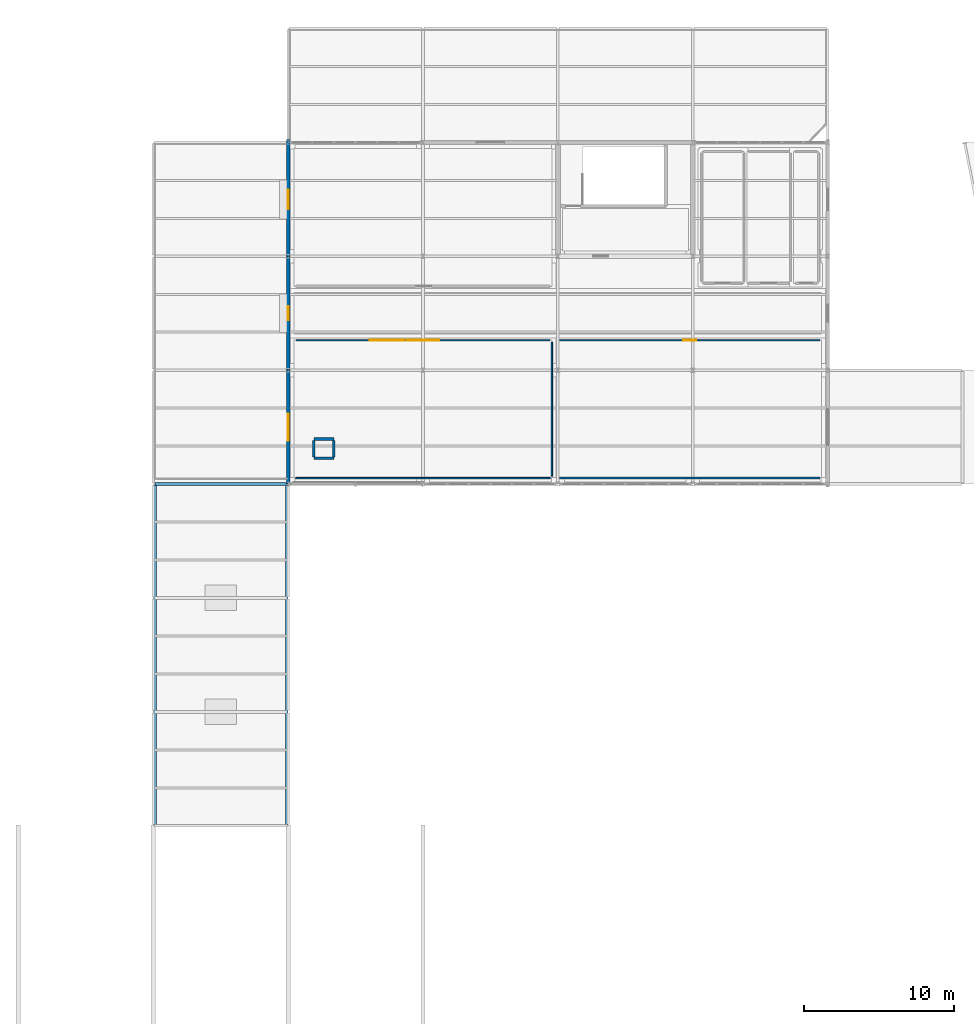
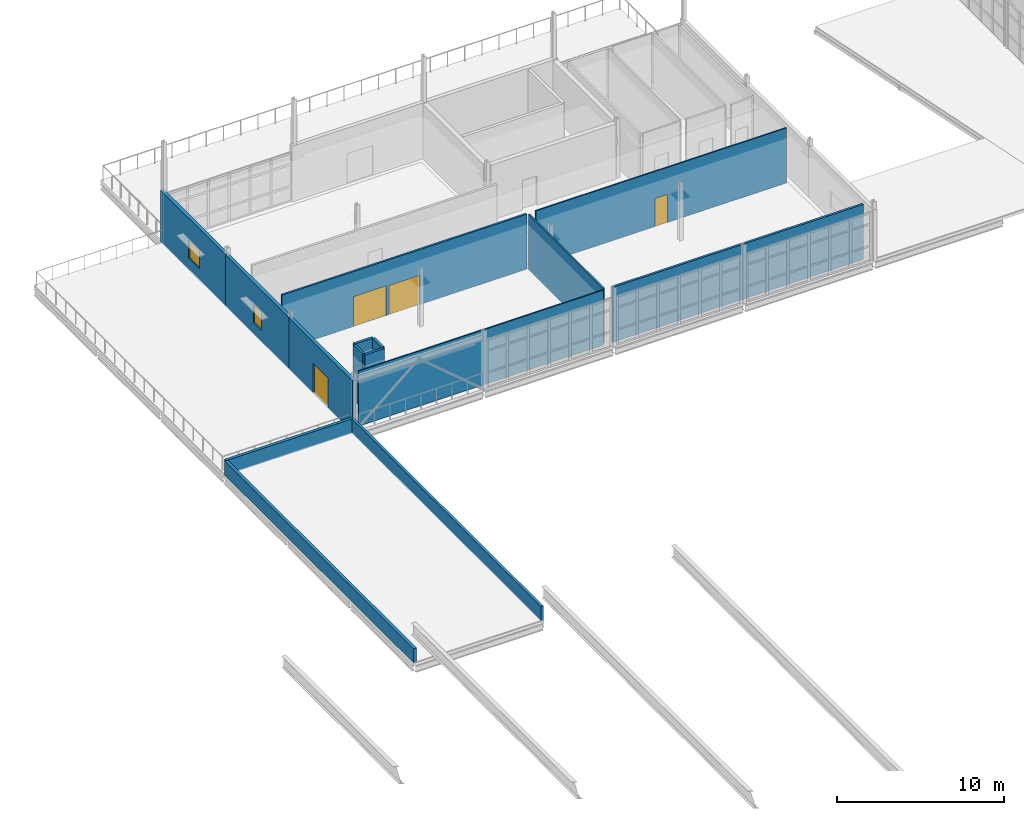
# One storey, part 88 of 96: 15 walls, 4 doors, 2 windows, 6 openings.
"""IFC4 building model written with IfcOpenShell, lengths in metres."""

import ifcopenshell
import ifcopenshell.guid

model = None  # the IFC model being written
_history = None  # IfcOwnerHistory: only IFC2X3 demands one
_inside = {}  # id of a spatial element -> (the spatial element, [elements in it])
_under = {}  # id of a project, library or spatial element -> (it, [spatial elements below it])
_declared = {}  # id of a project -> (the project, [libraries it declares])
_typed = {}  # id of a type object -> (the type object, [elements of that type])
_made_of = {}  # id of a material, layer set ... -> (it, [elements and type objects made of it])


def new_model(schema):
    """Start an empty IFC model of exactly this schema.

    Asked for "IFC4X3", IfcOpenShell would pick the latest addendum, in which some entities
    have other attributes; the version numbers below select the first issue.
    IFC2X3 requires an IfcOwnerHistory on every rooted entity: one is made here for all.
    """
    global model, _history
    if schema == "IFC4X3":
        model = ifcopenshell.file(schema_version=(4, 3, 0, 0))
    else:
        model = ifcopenshell.file(schema=schema)
    _inside.clear()
    _under.clear()
    _declared.clear()
    _typed.clear()
    _made_of.clear()
    _history = None
    if model.schema == "IFC2X3":
        org = make("IfcOrganization", Name="unknown")
        user = make(
            "IfcPersonAndOrganization",
            ThePerson=make("IfcPerson", FamilyName="unknown"),
            TheOrganization=org,
        )
        app = make(
            "IfcApplication",
            ApplicationDeveloper=org,
            Version="unknown",
            ApplicationFullName="unknown",
            ApplicationIdentifier="unknown",
        )
        _history = make(
            "IfcOwnerHistory",
            OwningUser=user,
            OwningApplication=app,
            ChangeAction="ADDED",
            CreationDate=0,
        )
    return model


def make(cls, **values):
    """One entity of the class cls with the attributes given. An attribute that is None is left unset."""
    return model.create_entity(
        cls, **{name: value for name, value in values.items() if value is not None}
    )


def rooted(cls, **values):
    """An entity with a GlobalId (a new one), such as an element, a storey or a relation."""
    return make(cls, GlobalId=ifcopenshell.guid.new(), OwnerHistory=_history, **values)


def si_unit(unit_type, name, prefix=None):
    """IfcSIUnit, for example si_unit("LENGTHUNIT", "METRE", prefix="MILLI")."""
    return make("IfcSIUnit", UnitType=unit_type, Prefix=prefix, Name=name)


def assignment(units):
    """IfcUnitAssignment: the units of a project."""
    return None if units is None else make("IfcUnitAssignment", Units=units)


def point(xyz):
    """IfcCartesianPoint."""
    return None if xyz is None else make("IfcCartesianPoint", Coordinates=xyz)


def direction(xyz):
    """IfcDirection."""
    return None if xyz is None else make("IfcDirection", DirectionRatios=xyz)


def frame(location, z_axis=None, x_axis=None):
    """IfcAxis2Placement3D, a coordinate frame: its origin and axes. An axis left out is left unset."""
    return make(
        "IfcAxis2Placement3D",
        Location=point(location),
        Axis=direction(z_axis),
        RefDirection=direction(x_axis),
    )


def frame_2d(location, x_axis=None):
    """IfcAxis2Placement2D, a coordinate frame in the plane: its origin and x axis."""
    return make(
        "IfcAxis2Placement2D", Location=point(location), RefDirection=direction(x_axis)
    )


def origin():
    """The frame at (0, 0, 0) with its axes left unset."""
    return frame((0.0, 0.0, 0.0))


def place(relative_to, where):
    """IfcLocalPlacement: puts the frame where relative to a parent placement (None: the world)."""
    return make(
        "IfcLocalPlacement", PlacementRelTo=relative_to, RelativePlacement=where
    )


def context(
    kind, dimensions, precision=None, world=None, true_north=None, identifier=None
):
    """IfcGeometricRepresentationContext, for example the 3D "Model" context."""
    return make(
        "IfcGeometricRepresentationContext",
        ContextIdentifier=identifier,
        ContextType=kind,
        CoordinateSpaceDimension=dimensions,
        Precision=precision,
        WorldCoordinateSystem=world,
        TrueNorth=true_north,
    )


def subcontext(parent, identifier, kind, view, scale=None):
    """IfcGeometricRepresentationSubContext, for example "Body" below "Model"."""
    return make(
        "IfcGeometricRepresentationSubContext",
        ContextIdentifier=identifier,
        ContextType=kind,
        ParentContext=parent,
        TargetScale=scale,
        TargetView=view,
    )


def project(units=None, contexts=None):
    """IfcProject with its units and contexts."""
    return rooted(
        "IfcProject",
        Name="project",
        RepresentationContexts=contexts,
        UnitsInContext=assignment(units),
    )


def spatial(cls, under=None, at=None, **own):
    """A site, building, storey or space (cls), placed at a placement, below another one or the project."""
    s = rooted(cls, ObjectPlacement=at, **own)
    if under is not None:
        _under.setdefault(under.id(), (under, []))[1].append(s)
    return s


def profile(cls, at=None, kind="AREA", **sizes):
    """A parametric profile (cls). Its sizes go by their IFC names, for example OverallWidth=200.0."""
    return make(cls, ProfileType=kind, Position=at, **sizes)


def rectangle(**sizes):
    """IfcRectangleProfileDef."""
    return profile("IfcRectangleProfileDef", **sizes)


def extrude(swept, where, along, depth):
    """IfcExtrudedAreaSolid: the profile swept, set in the frame where, extruded along a direction by depth."""
    return make(
        "IfcExtrudedAreaSolid",
        SweptArea=swept,
        Position=where,
        ExtrudedDirection=direction(along),
        Depth=depth,
    )


def shape(context_of_items, identifier, shape_type, items):
    """IfcShapeRepresentation: the items that make up one representation, for example the "Body"."""
    return make(
        "IfcShapeRepresentation",
        ContextOfItems=context_of_items,
        RepresentationIdentifier=identifier,
        RepresentationType=shape_type,
        Items=items,
    )


def material(Name=None, Category=None):
    """IfcMaterial."""
    return make("IfcMaterial", Name=Name, Category=Category)


def layer(
    of_material, thickness, ventilated=None, Name=None, Category=None, Priority=None
):
    """IfcMaterialLayer: one layer of a wall or slab, of a material (None: an air gap)."""
    return make(
        "IfcMaterialLayer",
        Material=of_material,
        LayerThickness=thickness,
        IsVentilated=ventilated,
        Name=Name,
        Category=Category,
        Priority=Priority,
    )


def layer_set(layers, Name=None):
    """IfcMaterialLayerSet."""
    return make("IfcMaterialLayerSet", MaterialLayers=layers, LayerSetName=Name)


def made_of(thing, what):
    """Note that an element or type object is made of a material, layer set ...; save() writes the relation."""
    if what is not None:
        _made_of.setdefault(what.id(), (what, []))[1].append(thing)
    return thing


def type_object(cls, material=None, **own):
    """A type object (cls), such as IfcWallType, which elements share."""
    return made_of(rooted(cls, **own), material)


def element(
    cls,
    number,
    at=None,
    inside=None,
    cuts=None,
    type_object=None,
    material=None,
    context=None,
    identifier="Body",
    shape_type=None,
    held_by="IfcProductDefinitionShape",
    body=None,
    shapes=None,
    **own,
):
    """One element of the class cls, such as IfcWall. Its Tag is "e" and its number.

    at: its placement. inside: the storey or other place that contains it. cuts: it is an
    opening in that element (IfcRelVoidsElement). A single representation is given by context,
    identifier, shape_type and body (its items); several are given by shapes. held_by: the class
    of the entity that holds the representations. save() writes the other relations.
    """
    e = rooted(cls, Tag="e%d" % number, ObjectPlacement=at, **own)
    if body is not None:
        shapes = [shape(context, identifier, shape_type, body)]
    if shapes is not None:
        e.Representation = make(held_by, Representations=shapes)
    if inside is not None:
        _inside.setdefault(inside.id(), (inside, []))[1].append(e)
    if cuts is not None:
        rooted(
            "IfcRelVoidsElement", RelatingBuildingElement=cuts, RelatedOpeningElement=e
        )
    if type_object is not None:
        _typed.setdefault(type_object.id(), (type_object, []))[1].append(e)
    return made_of(e, material)


def fill(opening, filler):
    """IfcRelFillsElement: the door or window that sits in an opening."""
    return rooted(
        "IfcRelFillsElement",
        RelatingOpeningElement=opening,
        RelatedBuildingElement=filler,
    )


def aggregate(whole, parts):
    """IfcRelAggregates: a whole, such as a stair, and the parts it consists of."""
    return rooted("IfcRelAggregates", RelatingObject=whole, RelatedObjects=parts)


def save(model, path):
    """Write the relations noted so far, then the file.

    IfcRelAggregates (storeys below a building ...), IfcRelContainedInSpatialStructure (elements
    in a storey), IfcRelDefinesByType, IfcRelAssociatesMaterial and IfcRelDeclares: one each for
    every whole, place, type object, material and project.
    """
    for whole, parts in _under.values():
        aggregate(whole, parts)
    for where, things in _inside.values():
        rooted(
            "IfcRelContainedInSpatialStructure",
            RelatedElements=things,
            RelatingStructure=where,
        )
    for kind, things in _typed.values():
        rooted("IfcRelDefinesByType", RelatedObjects=things, RelatingType=kind)
    for what, things in _made_of.values():
        rooted("IfcRelAssociatesMaterial", RelatedObjects=things, RelatingMaterial=what)
    for by, libraries in _declared.values():
        rooted("IfcRelDeclares", RelatingContext=by, RelatedDefinitions=libraries)
    model.write(path)


model = new_model("IFC4")

# Units and contexts
model_context = context("Model", 3, precision=1e-05, world=origin(), true_north=direction((0.0, 1.0)))
body_context = subcontext(model_context, "Body", "Model", "MODEL_VIEW")
ifc_project = project(units=[si_unit("LENGTHUNIT", "METRE"), si_unit("AREAUNIT", "SQUARE_METRE"), si_unit("VOLUMEUNIT", "CUBIC_METRE"), si_unit("PLANEANGLEUNIT", "RADIAN"), si_unit("MASSUNIT", "GRAM", prefix="KILO")], contexts=[model_context])

# Site, building, storey
site_placement = place(None, origin())
site = spatial("IfcSite", under=ifc_project, at=site_placement, CompositionType="ELEMENT")
building_placement = place(site_placement, origin())
building = spatial("IfcBuilding", under=site, at=building_placement, Name="Caisbarro Railhouse Central Library", CompositionType="ELEMENT")
storey_placement = place(building_placement, frame((0.0, 0.0, 13.679931640625)))
storey = spatial("IfcBuildingStorey", under=building, at=storey_placement, Name="L03", CompositionType="ELEMENT", Elevation=13.679931640625)

# Wall, opening, door
ifc_material_1 = material(Name="Concrete C35 insulated architectural precast", Category="concrete")
ifc_layer_1 = layer(ifc_material_1, 0.239990234375, Name="Concrete C35 insulated architectural precast")
ifc_layer_set_1 = layer_set([ifc_layer_1], Name="Concrete C35 insulated architectural precast")
wall_type_1 = type_object("IfcWallType", Name="WAL-EW24", PredefinedType="STANDARD", material=ifc_layer_set_1)
wall_1_placement = place(storey_placement, frame((63.0, 83.60009765625, 0.0), z_axis=(0.0, 0.0, 1.0), x_axis=(0.0, 1.0, 0.0)))
wall_1 = element("IfcWall", 1, at=wall_1_placement, inside=storey, type_object=wall_type_1, Name="EW24 exterior wall L03 #256", PredefinedType="STANDARD", context=body_context, shape_type="SweptSolid", body=[
    extrude(rectangle(XDim=7.599853515625, YDim=0.239990234375, at=frame_2d((3.7998046875, 0.0))), origin(), (0.0, 0.0, 1.0), 3.779541015625),
])
opening_1_placement = place(wall_1_placement, frame((2.889892578125, 0.0, 0.0)))
opening_1 = element("IfcOpeningElement", 2, at=opening_1_placement, cuts=wall_1, Name="Opening TD01", PredefinedType="OPENING", context=body_context, shape_type="SweptSolid", body=[
    extrude(rectangle(XDim=1.820068359375, YDim=2.199951171875, at=frame_2d((0.91015625, 1.10009765625))), frame((0.0, 0.1298828125, 0.0), z_axis=(0.0, -1.0, 0.0), x_axis=(1.0, 0.0, 0.0)), (0.0, 0.0, 1.0), 0.260009765625),
])
ifc_material_2 = material(Name="Thermally broken anodised aluminium and safety glass", Category="aluminium")
door_type_1 = type_object("IfcDoorType", Name="DR-TD01", OperationType="NOTDEFINED", PredefinedType="DOOR", material=ifc_material_2)
door_1_placement = place(opening_1_placement, origin())
door_1 = element("IfcDoor", 3, at=door_1_placement, inside=storey, type_object=door_type_1, Name="Terrace Door TD01 L03-45", OperationType="SINGLE_SWING_RIGHT", OverallHeight=2.199951171875, OverallWidth=1.820068359375, PredefinedType="DOOR", context=body_context, shape_type="SweptSolid", body=[
    extrude(rectangle(XDim=1.820068359375, YDim=2.199951171875, at=frame_2d((0.91015625, 1.10009765625))), frame((0.0, 0.02490234375, 0.0), z_axis=(0.0, -1.0, 0.0), x_axis=(1.0, 0.0, 0.0)), (0.0, 0.0, 1.0), 0.050048828125),
])
fill(opening_1, door_1)

# Wall, opening, window
wall_2_placement = place(storey_placement, frame((63.0, 91.199951171875, 0.0), z_axis=(0.0, 0.0, 1.0), x_axis=(0.0, 1.0, 0.0)))
wall_2 = element("IfcWall", 4, at=wall_2_placement, inside=storey, type_object=wall_type_1, Name="EW24 exterior wall L03 #258", PredefinedType="STANDARD", context=body_context, shape_type="SweptSolid", body=[
    extrude(rectangle(XDim=7.60009765625, YDim=0.239990234375, at=frame_2d((3.800048828125, 0.0))), origin(), (0.0, 0.0, 1.0), 3.779541015625),
])
opening_2_placement = place(wall_2_placement, frame((3.324951171875, 0.0, 0.85009765625)))
opening_2 = element("IfcOpeningElement", 5, at=opening_2_placement, cuts=wall_2, Name="Opening W10", PredefinedType="OPENING", context=body_context, shape_type="SweptSolid", body=[
    extrude(rectangle(XDim=0.949951171875, YDim=1.35009765625, at=frame_2d((0.47509765625, 0.675048828125))), frame((0.0, 0.1298828125, 0.0), z_axis=(0.0, -1.0, 0.0), x_axis=(1.0, 0.0, 0.0)), (0.0, 0.0, 1.0), 0.260009765625),
])
ifc_material_3 = material(Name="Double low-e laminated solar-control glass", Category="glass")
window_type_1 = type_object("IfcWindowType", Name="WIN-W10", PartitioningType="SINGLE_PANEL", PredefinedType="WINDOW", material=ifc_material_3)
window_1_placement = place(opening_2_placement, origin())
window_1 = element("IfcWindow", 6, at=window_1_placement, inside=storey, type_object=window_type_1, Name="W10 window L03-102", OverallHeight=1.35009765625, OverallWidth=0.949951171875, PartitioningType="SINGLE_PANEL", PredefinedType="WINDOW", context=body_context, shape_type="SweptSolid", body=[
    extrude(rectangle(XDim=0.949951171875, YDim=1.35009765625, at=frame_2d((0.47509765625, 0.675048828125))), frame((0.0, 0.030029296875, 0.0), z_axis=(0.0, -1.0, 0.0), x_axis=(1.0, 0.0, 0.0)), (0.0, 0.0, 1.0), 0.06005859375),
])
fill(opening_2, window_1)

wall_3_placement = place(storey_placement, frame((63.0, 98.800048828125, 0.0), z_axis=(0.0, 0.0, 1.0), x_axis=(0.0, 1.0, 0.0)))
wall_3 = element("IfcWall", 7, at=wall_3_placement, inside=storey, type_object=wall_type_1, Name="EW24 exterior wall L03 #260", PredefinedType="STANDARD", context=body_context, shape_type="SweptSolid", body=[
    extrude(rectangle(XDim=7.81005859375, YDim=0.239990234375, at=frame_2d((3.905029296875, 0.0))), origin(), (0.0, 0.0, 1.0), 3.779541015625),
])
opening_3_placement = place(wall_3_placement, frame((3.14990234375, 0.0, 0.85009765625)))
opening_3 = element("IfcOpeningElement", 8, at=opening_3_placement, cuts=wall_3, Name="Opening W12", PredefinedType="OPENING", context=body_context, shape_type="SweptSolid", body=[
    extrude(rectangle(XDim=1.300048828125, YDim=1.35009765625, at=frame_2d((0.64990234375, 0.675048828125))), frame((0.0, 0.1298828125, 0.0), z_axis=(0.0, -1.0, 0.0), x_axis=(1.0, 0.0, 0.0)), (0.0, 0.0, 1.0), 0.260009765625),
])
window_type_2 = type_object("IfcWindowType", Name="WIN-W12", PartitioningType="SINGLE_PANEL", PredefinedType="WINDOW", material=ifc_material_3)
window_2_placement = place(opening_3_placement, origin())
window_2 = element("IfcWindow", 9, at=window_2_placement, inside=storey, type_object=window_type_2, Name="W12 window L03-104", OverallHeight=1.35009765625, OverallWidth=1.300048828125, PartitioningType="SINGLE_PANEL", PredefinedType="WINDOW", context=body_context, shape_type="SweptSolid", body=[
    extrude(rectangle(XDim=1.300048828125, YDim=1.35009765625, at=frame_2d((0.64990234375, 0.675048828125))), frame((0.0, 0.030029296875, 0.0), z_axis=(0.0, -1.0, 0.0), x_axis=(1.0, 0.0, 0.0)), (0.0, 0.0, 1.0), 0.06005859375),
])
fill(opening_3, window_2)

# Wall
ifc_material_4 = material(Name="Acoustic gypsum board on galvanised steel studs", Category="steel")
ifc_layer_2 = layer(ifc_material_4, 0.090087890625, Name="Acoustic gypsum board on galvanised steel studs")
ifc_layer_set_2 = layer_set([ifc_layer_2], Name="Acoustic gypsum board on galvanised steel studs")
wall_type_2 = type_object("IfcWallType", Name="WAL-IW09", PredefinedType="PARTITIONING", material=ifc_layer_set_2)
wall_4_placement = place(storey_placement, frame((63.52001953125, 84.0, 0.0), z_axis=(0.0, 0.0, 1.0), x_axis=(1.0, 0.0, 0.0)))
element("IfcWall", 10, at=wall_4_placement, inside=storey, type_object=wall_type_2, Name="IW09 partition wall L03 #560", PredefinedType="PARTITIONING", context=body_context, shape_type="SweptSolid", body=[
    extrude(rectangle(XDim=16.9599609375, YDim=0.090087890625, at=frame_2d((8.47998046875, 0.0))), origin(), (0.0, 0.0, 1.0), 4.0400390625),
])

# Wall, opening, door
wall_5_placement = place(storey_placement, frame((81.1201171875, 93.199951171875, 0.0), z_axis=(0.0, 0.0, 1.0), x_axis=(1.0, 0.0, 0.0)))
wall_5 = element("IfcWall", 11, at=wall_5_placement, inside=storey, type_object=wall_type_2, Name="IW09 partition wall L03 #596", PredefinedType="PARTITIONING", context=body_context, shape_type="SweptSolid", body=[
    extrude(rectangle(XDim=17.35986328125, YDim=0.090087890625, at=frame_2d((8.679931640625, 0.0))), origin(), (0.0, 0.0, 1.0), 4.0400390625),
])
opening_4_placement = place(wall_5_placement, frame((8.25, 0.0, 0.0)))
opening_4 = element("IfcOpeningElement", 12, at=opening_4_placement, cuts=wall_5, Name="Opening ID01", PredefinedType="OPENING", context=body_context, shape_type="SweptSolid", body=[
    extrude(rectangle(XDim=0.860107421875, YDim=2.06005859375, at=frame_2d((0.43017578125, 1.030029296875))), frame((0.0, 0.05517578125, 0.0), z_axis=(0.0, -1.0, 0.0), x_axis=(1.0, 0.0, 0.0)), (0.0, 0.0, 1.0), 0.110107421875),
])
ifc_material_5 = material(Name="Solid-core tropical hardwood veneer", Category="wood")
door_type_2 = type_object("IfcDoorType", Name="DR-ID01", OperationType="NOTDEFINED", PredefinedType="DOOR", material=ifc_material_5)
door_2_placement = place(opening_4_placement, origin())
door_2 = element("IfcDoor", 13, at=door_2_placement, inside=storey, type_object=door_type_2, Name="Civic Design Exhibition Lounge Door ID01 L03-329", OperationType="SINGLE_SWING_LEFT", OverallHeight=2.06005859375, OverallWidth=0.860107421875, PredefinedType="DOOR", context=body_context, shape_type="SweptSolid", body=[
    extrude(rectangle(XDim=0.860107421875, YDim=2.06005859375, at=frame_2d((0.43017578125, 1.030029296875))), frame((0.0, 0.02490234375, 0.0), z_axis=(0.0, -1.0, 0.0), x_axis=(1.0, 0.0, 0.0)), (0.0, 0.0, 1.0), 0.050048828125),
])
fill(opening_4, door_2)

# Wall
ifc_layer_3 = layer(ifc_material_4, 0.110107421875, Name="Acoustic gypsum board on galvanised steel studs")
ifc_layer_set_3 = layer_set([ifc_layer_3], Name="Acoustic gypsum board on galvanised steel studs")
wall_type_3 = type_object("IfcWallType", Name="WAL-IW11", PredefinedType="PARTITIONING", material=ifc_layer_set_3)
wall_6_placement = place(storey_placement, frame((80.60009765625, 84.1201171875, 0.0), z_axis=(0.0, 0.0, 1.0), x_axis=(0.0, 1.0, 0.0)))
element("IfcWall", 14, at=wall_6_placement, inside=storey, type_object=wall_type_3, Name="IW11 partition wall L03 #559", PredefinedType="PARTITIONING", context=body_context, shape_type="SweptSolid", body=[
    extrude(rectangle(XDim=8.9599609375, YDim=0.110107421875, at=frame_2d((4.47998046875, 0.0))), origin(), (0.0, 0.0, 1.0), 4.0400390625),
])

# Wall, openings, doors
ifc_layer_4 = layer(ifc_material_4, 0.1298828125, Name="Acoustic gypsum board on galvanised steel studs")
ifc_layer_set_4 = layer_set([ifc_layer_4], Name="Acoustic gypsum board on galvanised steel studs")
wall_type_4 = type_object("IfcWallType", Name="WAL-IW13", PredefinedType="PARTITIONING", material=ifc_layer_set_4)
wall_7_placement = place(storey_placement, frame((63.52001953125, 93.199951171875, 0.0), z_axis=(0.0, 0.0, 1.0), x_axis=(1.0, 0.0, 0.0)))
wall_7 = element("IfcWall", 15, at=wall_7_placement, inside=storey, type_object=wall_type_4, Name="IW13 partition wall L03 #558", PredefinedType="PARTITIONING", context=body_context, shape_type="SweptSolid", body=[
    extrude(rectangle(XDim=16.9599609375, YDim=0.1298828125, at=frame_2d((8.47998046875, 0.0))), origin(), (0.0, 0.0, 1.0), 4.0400390625),
])
opening_5_placement = place(wall_7_placement, frame((7.405029296875, 0.0, 0.0)))
opening_5 = element("IfcOpeningElement", 16, at=opening_5_placement, cuts=wall_7, Name="Opening ID40", PredefinedType="OPENING", context=body_context, shape_type="SweptSolid", body=[
    extrude(rectangle(XDim=2.14990234375, YDim=2.14990234375, at=frame_2d((1.074951171875, 1.074951171875))), frame((0.0, 0.074951171875, 0.0), z_axis=(0.0, -1.0, 0.0), x_axis=(1.0, 0.0, 0.0)), (0.0, 0.0, 1.0), 0.14990234375),
])
opening_6_placement = place(wall_7_placement, frame((4.93994140625, 0.0, 0.0)))
opening_6 = element("IfcOpeningElement", 17, at=opening_6_placement, cuts=wall_7, Name="Opening ID56", PredefinedType="OPENING", context=body_context, shape_type="SweptSolid", body=[
    extrude(rectangle(XDim=2.280029296875, YDim=2.199951171875, at=frame_2d((1.14013671875, 1.10009765625))), frame((0.0, 0.074951171875, 0.0), z_axis=(0.0, -1.0, 0.0), x_axis=(1.0, 0.0, 0.0)), (0.0, 0.0, 1.0), 0.14990234375),
])
door_type_3 = type_object("IfcDoorType", Name="DR-ID40", OperationType="NOTDEFINED", PredefinedType="DOOR", material=ifc_material_5)
door_3_placement = place(opening_5_placement, origin())
door_3 = element("IfcDoor", 18, at=door_3_placement, inside=storey, type_object=door_type_3, Name="Visiting Scholars Seminar Hall Door ID40 L03-315", OperationType="SINGLE_SWING_LEFT", OverallHeight=2.14990234375, OverallWidth=2.14990234375, PredefinedType="DOOR", context=body_context, shape_type="SweptSolid", body=[
    extrude(rectangle(XDim=2.14990234375, YDim=2.14990234375, at=frame_2d((1.074951171875, 1.074951171875))), frame((0.0, 0.02490234375, 0.0), z_axis=(0.0, -1.0, 0.0), x_axis=(1.0, 0.0, 0.0)), (0.0, 0.0, 1.0), 0.050048828125),
])
fill(opening_5, door_3)
door_type_4 = type_object("IfcDoorType", Name="DR-ID56", OperationType="NOTDEFINED", PredefinedType="DOOR", material=ifc_material_5)
door_4_placement = place(opening_6_placement, origin())
door_4 = element("IfcDoor", 19, at=door_4_placement, inside=storey, type_object=door_type_4, Name="Veranda Level Corridor L03 Door ID56 L03-328", OperationType="SINGLE_SWING_RIGHT", OverallHeight=2.199951171875, OverallWidth=2.280029296875, PredefinedType="DOOR", context=body_context, shape_type="SweptSolid", body=[
    extrude(rectangle(XDim=2.280029296875, YDim=2.199951171875, at=frame_2d((1.14013671875, 1.10009765625))), frame((0.0, 0.02490234375, 0.0), z_axis=(0.0, -1.0, 0.0), x_axis=(1.0, 0.0, 0.0)), (0.0, 0.0, 1.0), 0.050048828125),
])
fill(opening_6, door_4)

# Walls
ifc_layer_5 = layer(ifc_material_4, 0.14990234375, Name="Acoustic gypsum board on galvanised steel studs")
ifc_layer_set_5 = layer_set([ifc_layer_5], Name="Acoustic gypsum board on galvanised steel studs")
wall_type_5 = type_object("IfcWallType", Name="WAL-IW15", PredefinedType="PARTITIONING", material=ifc_layer_set_5)
wall_8_placement = place(storey_placement, frame((81.1201171875, 84.0, 0.0), z_axis=(0.0, 0.0, 1.0), x_axis=(1.0, 0.0, 0.0)))
element("IfcWall", 20, at=wall_8_placement, inside=storey, type_object=wall_type_5, Name="IW15 partition wall L03 #597", PredefinedType="PARTITIONING", context=body_context, shape_type="SweptSolid", body=[
    extrude(rectangle(XDim=17.35986328125, YDim=0.14990234375, at=frame_2d((8.679931640625, 0.0))), origin(), (0.0, 0.0, 1.0), 4.0400390625),
])
ifc_material_6 = material(Name="Plastered cellular concrete masonry", Category="masonry")
ifc_layer_6 = layer(ifc_material_6, 0.169921875, Name="Plastered cellular concrete masonry")
ifc_layer_set_6 = layer_set([ifc_layer_6], Name="Plastered cellular concrete masonry")
wall_type_6 = type_object("IfcWallType", Name="WAL-IW17", PredefinedType="PARTITIONING", material=ifc_layer_set_6)
wall_9_placement = place(storey_placement, frame((64.7099609375, 85.31005859375, 0.0), z_axis=(0.0, 0.0, 1.0), x_axis=(1.0, 0.0, 0.0)))
element("IfcWall", 21, at=wall_9_placement, inside=storey, type_object=wall_type_6, Name="IW17 partition wall L03 #231", PredefinedType="PARTITIONING", context=body_context, shape_type="SweptSolid", body=[
    extrude(rectangle(XDim=1.340087890625, YDim=0.169921875, at=frame_2d((0.669921875, 0.0))), origin(), (0.0, 0.0, 1.0), 4.0400390625),
])
wall_10_placement = place(storey_placement, frame((66.050048828125, 85.39990234375, 0.0), z_axis=(0.0, 0.0, 1.0), x_axis=(0.0, 1.0, 0.0)))
element("IfcWall", 22, at=wall_10_placement, inside=storey, type_object=wall_type_6, Name="IW17 partition wall L03 #232", PredefinedType="PARTITIONING", context=body_context, shape_type="SweptSolid", body=[
    extrude(rectangle(XDim=1.1201171875, YDim=0.169921875, at=frame_2d((0.56005859375, 0.0))), origin(), (0.0, 0.0, 1.0), 4.0400390625),
])
wall_11_placement = place(storey_placement, frame((66.050048828125, 86.610107421875, 0.0), z_axis=(0.0, 0.0, 1.0), x_axis=(-1.0, 0.0, 0.0)))
element("IfcWall", 23, at=wall_11_placement, inside=storey, type_object=wall_type_6, Name="IW17 partition wall L03 #233", PredefinedType="PARTITIONING", context=body_context, shape_type="SweptSolid", body=[
    extrude(rectangle(XDim=1.340087890625, YDim=0.169921875, at=frame_2d((0.669921875, 0.0))), origin(), (0.0, 0.0, 1.0), 4.0400390625),
])
wall_12_placement = place(storey_placement, frame((64.7099609375, 86.52001953125, 0.0), z_axis=(0.0, 0.0, 1.0), x_axis=(0.0, -1.0, 0.0)))
element("IfcWall", 24, at=wall_12_placement, inside=storey, type_object=wall_type_6, Name="IW17 partition wall L03 #234", PredefinedType="PARTITIONING", context=body_context, shape_type="SweptSolid", body=[
    extrude(rectangle(XDim=1.1201171875, YDim=0.169921875, at=frame_2d((0.56005859375, 0.0))), origin(), (0.0, 0.0, 1.0), 4.0400390625),
])
ifc_material_7 = material(Name="Concrete C35", Category="concrete")
ifc_layer_7 = layer(ifc_material_7, 0.179931640625, Name="Concrete C35")
ifc_layer_set_7 = layer_set([ifc_layer_7], Name="Concrete C35")
wall_type_7 = type_object("IfcWallType", Name="WAL-WP18", PredefinedType="PARAPET", material=ifc_layer_set_7)
wall_13_placement = place(storey_placement, frame((62.89990234375, 60.85009765625, 0.0), z_axis=(0.0, 0.0, 1.0), x_axis=(0.0, 1.0, 0.0)))
element("IfcWall", 25, at=wall_13_placement, inside=storey, type_object=wall_type_7, Name="WP18 roof parapet L03-13", PredefinedType="PARAPET", context=body_context, shape_type="SweptSolid", body=[
    extrude(rectangle(XDim=22.699951171875, YDim=0.179931640625, at=frame_2d((11.35009765625, 0.0))), origin(), (0.0, 0.0, 1.0), 1.050048828125),
])
ifc_layer_8 = layer(ifc_material_7, 0.199951171875, Name="Concrete C35")
ifc_layer_set_8 = layer_set([ifc_layer_8], Name="Concrete C35")
wall_type_8 = type_object("IfcWallType", Name="WAL-WP20", PredefinedType="PARAPET", material=ifc_layer_set_8)
wall_14_placement = place(storey_placement, frame((54.10009765625, 60.85009765625, 0.0), z_axis=(0.0, 0.0, 1.0), x_axis=(0.0, 1.0, 0.0)))
element("IfcWall", 26, at=wall_14_placement, inside=storey, type_object=wall_type_8, Name="WP20 roof parapet L03-12", PredefinedType="PARAPET", context=body_context, shape_type="SweptSolid", body=[
    extrude(rectangle(XDim=22.699951171875, YDim=0.199951171875, at=frame_2d((11.35009765625, 0.0))), origin(), (0.0, 0.0, 1.0), 1.050048828125),
])
wall_15_placement = place(storey_placement, frame((54.10009765625, 83.6201171875, 0.0), z_axis=(0.0, 0.0, 1.0), x_axis=(1.0, 0.0, 0.0)))
element("IfcWall", 27, at=wall_15_placement, inside=storey, type_object=wall_type_8, Name="WP20 roof parapet L03-14", PredefinedType="PARAPET", context=body_context, shape_type="SweptSolid", body=[
    extrude(rectangle(XDim=8.7998046875, YDim=0.199951171875, at=frame_2d((4.39990234375, 0.0))), origin(), (0.0, 0.0, 1.0), 1.050048828125),
])

save(model, "model.ifc")
